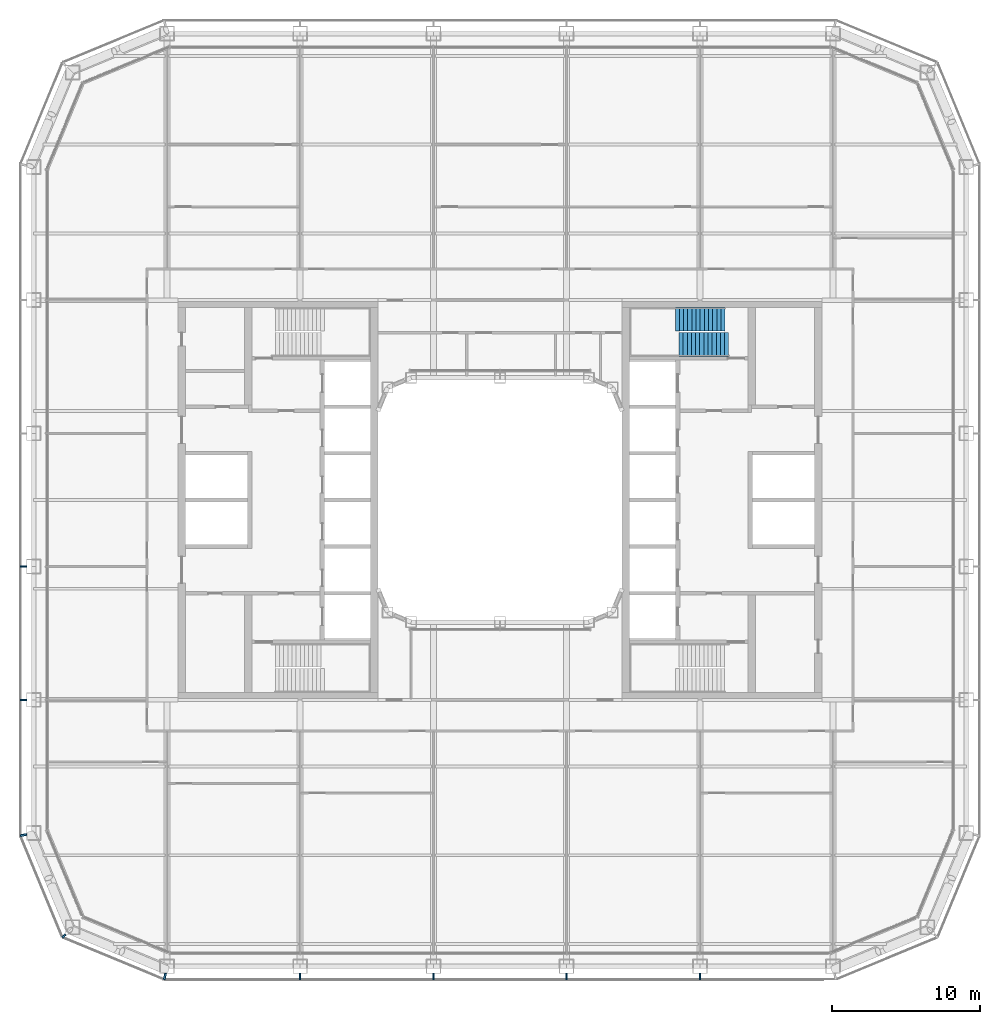
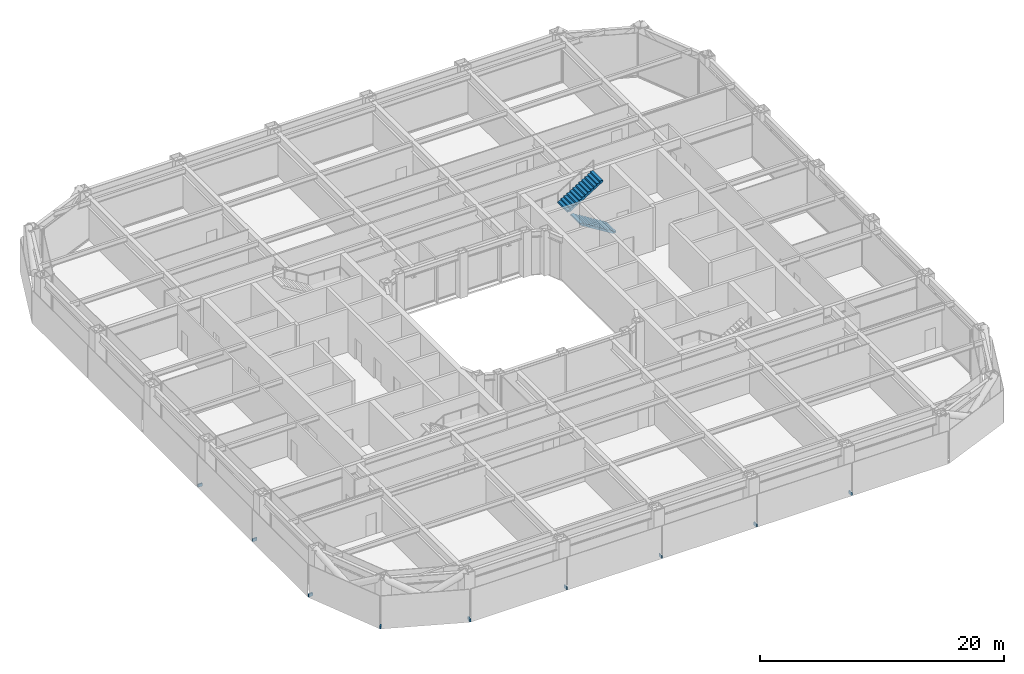
# One storey, part 16 of 25: 9 discrete accessories, 2 stair flights, 1 element without a shape of its own.
"""IFC4 building model written with IfcOpenShell, lengths in metres."""

from ifc_helpers import new_model, si_unit, direction, frame, origin, origin_2d, place, context, subcontext, project, spatial, polyline, rectangle, outline, extrude, material, type_object, element, aggregate, save


model = new_model("IFC4")

# Units and contexts
model_context = context("Model", 3, precision=1e-05, world=origin(), true_north=direction((0.0, 1.0)))
body_context = subcontext(model_context, "Body", "Model", "MODEL_VIEW")
ifc_project = project(units=[si_unit("LENGTHUNIT", "METRE"), si_unit("AREAUNIT", "SQUARE_METRE"), si_unit("VOLUMEUNIT", "CUBIC_METRE"), si_unit("PLANEANGLEUNIT", "RADIAN"), si_unit("MASSUNIT", "GRAM", prefix="KILO")], contexts=[model_context])

# Site, building, storey
site_placement = place(None, origin())
site = spatial("IfcSite", under=ifc_project, at=site_placement, CompositionType="ELEMENT")
building_placement = place(site_placement, origin())
building = spatial("IfcBuilding", under=site, at=building_placement, Name="Siwar Civic Tower", CompositionType="ELEMENT")
storey_placement = place(building_placement, frame((0.0, 0.0, 58.199951171875)))
storey = spatial("IfcBuildingStorey", under=building, at=storey_placement, Name="L12", CompositionType="ELEMENT", Elevation=58.199951171875)

# Stair, stair flights
ifc_material_1 = material(Name="Concrete C40/50", Category="concrete")
stair_type = type_object("IfcStairType", Name="CORE-STAIR", PredefinedType="TWO_STRAIGHT_RUN_STAIR", material=ifc_material_1)
stair_placement = place(storey_placement, origin())
stair = element("IfcStair", 1, at=stair_placement, inside=storey, type_object=stair_type, Name="Exit stair ST3", PredefinedType="TWO_STRAIGHT_RUN_STAIR")
ifc_material_2 = material(Name="Concrete C40/50", Category="concrete")
stair_flight_type = type_object("IfcStairFlightType", Name="CORE-STAIR-FLIGHT", PredefinedType="STRAIGHT", material=ifc_material_2)
stair_flight_1_placement = place(storey_placement, frame((15.449951171875, 10.5, 0.0), z_axis=(0.0, 0.0, 1.0), x_axis=(-1.0, 0.0, 0.0)))
stair_flight_1 = element("IfcStairFlight", 2, at=stair_flight_1_placement, type_object=stair_flight_type, Name="ST3 flight 1", NumberOfRisers=13, NumberOfTreads=12, PredefinedType="STRAIGHT", RiserHeight=0.173076923, TreadLength=0.28, context=body_context, shape_type="SweptSolid", body=[
    extrude(outline(polyline([(0.0, 0.0), (0.0, 0.173095703125), (0.280029296875, 0.173095703125), (0.280029296875, 0.34619140625), (0.56005859375, 0.34619140625), (0.56005859375, 0.519287109375), (0.840087890625, 0.519287109375), (0.840087890625, 0.6923828125), (1.1201171875, 0.6923828125), (1.1201171875, 0.865478515625), (1.39990234375, 0.865478515625), (1.39990234375, 1.03857421875), (1.679931640625, 1.03857421875), (1.679931640625, 1.21142578125), (1.9599609375, 1.21142578125), (1.9599609375, 1.384521484375), (2.239990234375, 1.384521484375), (2.239990234375, 1.5576171875), (2.52001953125, 1.5576171875), (2.52001953125, 1.730712890625), (2.800048828125, 1.730712890625), (2.800048828125, 1.90380859375), (3.080078125, 1.90380859375), (3.080078125, 2.076904296875), (3.360107421875, 2.076904296875), (3.360107421875, 2.25), (3.360107421875, 1.900634765625), (0.28515625, 0.0), (0.0, 0.0)])), frame((0.0, 0.800048828125, 0.0), z_axis=(0.0, -1.0, 0.0), x_axis=(1.0, 0.0, 0.0)), (0.0, 0.0, 1.0), 1.60009765625),
])
stair_flight_2_placement = place(storey_placement, frame((11.840087890625, 12.199951171875, 2.25), z_axis=(0.0, 0.0, 1.0), x_axis=(1.0, 0.0, 0.0)))
stair_flight_2 = element("IfcStairFlight", 3, at=stair_flight_2_placement, type_object=stair_flight_type, Name="ST3 flight 2", NumberOfRisers=13, NumberOfTreads=12, PredefinedType="STRAIGHT", RiserHeight=0.173076923, TreadLength=0.28, context=body_context, shape_type="SweptSolid", body=[
    extrude(outline(polyline([(0.0, 0.0), (0.0, 0.173095703125), (0.280029296875, 0.173095703125), (0.280029296875, 0.34619140625), (0.56005859375, 0.34619140625), (0.56005859375, 0.519287109375), (0.840087890625, 0.519287109375), (0.840087890625, 0.6923828125), (1.1201171875, 0.6923828125), (1.1201171875, 0.865478515625), (1.39990234375, 0.865478515625), (1.39990234375, 1.03857421875), (1.679931640625, 1.03857421875), (1.679931640625, 1.21142578125), (1.9599609375, 1.21142578125), (1.9599609375, 1.384521484375), (2.239990234375, 1.384521484375), (2.239990234375, 1.5576171875), (2.52001953125, 1.5576171875), (2.52001953125, 1.730712890625), (2.800048828125, 1.730712890625), (2.800048828125, 1.90380859375), (3.080078125, 1.90380859375), (3.080078125, 2.076904296875), (3.360107421875, 2.076904296875), (3.360107421875, 2.25), (3.360107421875, 1.900634765625), (0.28515625, 0.0), (0.0, 0.0)])), frame((0.0, 0.800048828125, 0.0), z_axis=(0.0, -1.0, 0.0), x_axis=(1.0, 0.0, 0.0)), (0.0, 0.0, 1.0), 1.60009765625),
])
aggregate(stair, [stair_flight_1, stair_flight_2])

# Discrete accessories
ifc_material_3 = material(Name="Stainless steel 316", Category="steel")
discrete_accessory_type = type_object("IfcDiscreteAccessoryType", Name="ENV-BRACKET", PredefinedType="BRACKET", material=ifc_material_3)
for number, where, z_axis, x_axis, name in (
    (4, (-13.5, -32.18994140625, -0.14990234375), (0.0, 0.0, 1.0), (0.0, -1.0, 0.0), "Bracket outer skin joint S-01"),
    (5, (-4.5, -32.18994140625, -0.14990234375), (0.0, 0.0, 1.0), (0.0, -1.0, 0.0), "Bracket outer skin joint S-02"),
    (6, (4.5, -32.18994140625, -0.14990234375), (0.0, 0.0, 1.0), (0.0, -1.0, 0.0), "Bracket outer skin joint S-03"),
    (7, (13.5, -32.18994140625, -0.14990234375), (0.0, 0.0, 1.0), (0.0, -1.0, 0.0), "Bracket outer skin joint S-04"),
):
    element("IfcDiscreteAccessory", number, at=place(storey_placement, frame(where, z_axis=z_axis, x_axis=x_axis)), inside=storey, type_object=discrete_accessory_type, Name=name, PredefinedType="BRACKET", context=body_context, shape_type="SweptSolid", body=[
        extrude(rectangle(XDim=0.419921875, YDim=0.10009765625, at=origin_2d()), origin(), (0.0, 0.0, 1.0), 0.300048828125),
    ])
for number, where, z_axis, x_axis, name in (
    (8, (-22.63720703125, -32.190185546875, -0.14990234375), (0.0, 0.0, 1.0), (-0.195090322016, -0.980785280403, 0.0), "Bracket outer skin joint V00"),
    (9, (-32.190185546875, -22.63720703125, -0.14990234375), (0.0, 0.0, 1.0), (-0.980785280403, -0.195090322016, 0.0), "Bracket outer skin joint V10"),
):
    element("IfcDiscreteAccessory", number, at=place(storey_placement, frame(where, z_axis=z_axis, x_axis=x_axis)), inside=storey, type_object=discrete_accessory_type, Name=name, PredefinedType="BRACKET", context=body_context, shape_type="SweptSolid", body=[
        extrude(rectangle(XDim=0.427734375, YDim=0.13720703125, at=origin_2d()), origin(), (0.0, 0.0, 1.0), 0.300048828125),
    ])
discrete_accessory_placement = place(storey_placement, frame((-29.451416015625, -29.451416015625, -0.14990234375), z_axis=(0.0, 0.0, 1.0), x_axis=(-0.707106781187, -0.707106781187, 0.0)))
element("IfcDiscreteAccessory", 10, at=discrete_accessory_placement, inside=storey, type_object=discrete_accessory_type, Name="Bracket outer skin joint V11", PredefinedType="BRACKET", context=body_context, shape_type="SweptSolid", body=[
    extrude(rectangle(XDim=0.287109375, YDim=0.12939453125, at=origin_2d()), origin(), (0.0, 0.0, 1.0), 0.300048828125),
])
for number, where, z_axis, x_axis, name in (
    (11, (-32.18994140625, -4.5, -0.14990234375), (0.0, 0.0, 1.0), (-1.0, 0.0, 0.0), "Bracket outer skin joint W-03"),
    (12, (-32.18994140625, -13.5, -0.14990234375), (0.0, 0.0, 1.0), (-1.0, 0.0, 0.0), "Bracket outer skin joint W-04"),
):
    element("IfcDiscreteAccessory", number, at=place(storey_placement, frame(where, z_axis=z_axis, x_axis=x_axis)), inside=storey, type_object=discrete_accessory_type, Name=name, PredefinedType="BRACKET", context=body_context, shape_type="SweptSolid", body=[
        extrude(rectangle(XDim=0.419921875, YDim=0.10009765625, at=origin_2d()), origin(), (0.0, 0.0, 1.0), 0.300048828125),
    ])

save(model, "model.ifc")
